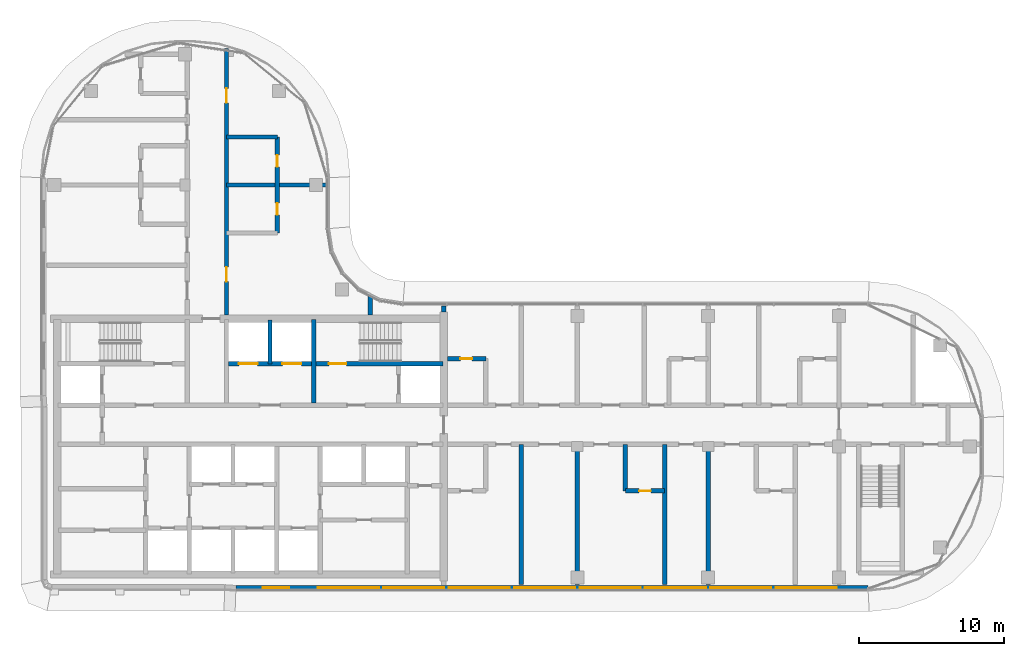
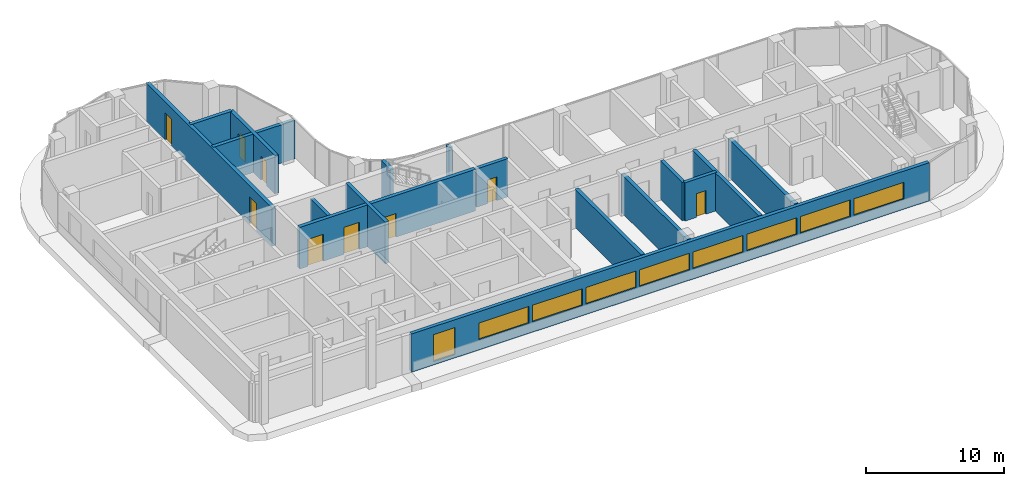
# One storey, part 14 of 22: 17 walls, 9 doors, 9 windows, 18 openings.
"""IFC4 building model written with IfcOpenShell, lengths in metres."""

from ifc_helpers import new_model, si_unit, direction, frame, frame_2d, origin, place, context, subcontext, project, spatial, rectangle, extrude, material, layer, layer_set, type_object, element, fill, save


model = new_model("IFC4")

# Units and contexts
model_context = context("Model", 3, precision=1e-05, world=origin(), true_north=direction((0.0, 1.0)))
body_context = subcontext(model_context, "Body", "Model", "MODEL_VIEW")
ifc_project = project(units=[si_unit("LENGTHUNIT", "METRE"), si_unit("AREAUNIT", "SQUARE_METRE"), si_unit("VOLUMEUNIT", "CUBIC_METRE"), si_unit("PLANEANGLEUNIT", "RADIAN"), si_unit("MASSUNIT", "GRAM", prefix="KILO")], contexts=[model_context])

# Site, building, storey
site_placement = place(None, origin())
site = spatial("IfcSite", under=ifc_project, at=site_placement, CompositionType="ELEMENT")
building_placement = place(site_placement, origin())
building = spatial("IfcBuilding", under=site, at=building_placement, Name="Ogive Portal Towers", CompositionType="ELEMENT")
storey_placement = place(building_placement, frame((0.0, 0.0, 206.89990234375)))
storey = spatial("IfcBuildingStorey", under=building, at=storey_placement, Name="L51", CompositionType="ELEMENT", Elevation=206.89990234375)

# Wall, openings, doors
ifc_material_1 = material(Name="Concrete C60/75", Category="concrete")
ifc_layer_1 = layer(ifc_material_1, 0.300048828125)
ifc_layer_set_1 = layer_set([ifc_layer_1], Name="CORE WALL 300 C60")
wall_type_1 = type_object("IfcWallType", Name="CORE WALL 300 C60", PredefinedType="SHEAR", material=ifc_layer_set_1)
wall_1_placement = place(storey_placement, frame((43.5, 36.199951171875, 0.0), z_axis=(0.0, 0.0, 1.0), x_axis=(1.0, 0.0, 0.0)))
wall_1 = element("IfcWall", 1, at=wall_1_placement, inside=storey, type_object=wall_type_1, Name="Core wall Y3b L51", PredefinedType="SHEAR", context=body_context, shape_type="SweptSolid", body=[
    extrude(rectangle(XDim=14.75, YDim=0.300048828125, at=frame_2d((7.375, 0.0))), origin(), (0.0, 0.0, 1.0), 3.7001953125),
])
opening_1_placement = place(wall_1_placement, frame((6.89990234375, 0.0, 0.0)))
opening_1 = element("IfcOpeningElement", 2, at=opening_1_placement, cuts=wall_1, Name="Opening D23-006", PredefinedType="OPENING", context=body_context, shape_type="SweptSolid", body=[
    extrude(rectangle(XDim=1.199951171875, YDim=2.10009765625, at=frame_2d((0.60009765625, 1.050048828125))), frame((0.0, 0.16015625, 0.0), z_axis=(0.0, -1.0, 0.0), x_axis=(1.0, 0.0, 0.0)), (0.0, 0.0, 1.0), 0.320068359375),
])
opening_2_placement = place(wall_1_placement, frame((0.699951171875, 0.0, 0.0)))
opening_2 = element("IfcOpeningElement", 3, at=opening_2_placement, cuts=wall_1, Name="Opening D23-017", PredefinedType="OPENING", context=body_context, shape_type="SweptSolid", body=[
    extrude(rectangle(XDim=1.300048828125, YDim=2.39990234375, at=frame_2d((0.64990234375, 1.199951171875))), frame((0.0, 0.16015625, 0.0), z_axis=(0.0, -1.0, 0.0), x_axis=(1.0, 0.0, 0.0)), (0.0, 0.0, 1.0), 0.320068359375),
])
opening_3_placement = place(wall_1_placement, frame((3.699951171875, 0.0, 0.0)))
opening_3 = element("IfcOpeningElement", 4, at=opening_3_placement, cuts=wall_1, Name="Opening D23-018", PredefinedType="OPENING", context=body_context, shape_type="SweptSolid", body=[
    extrude(rectangle(XDim=1.300048828125, YDim=2.39990234375, at=frame_2d((0.64990234375, 1.199951171875))), frame((0.0, 0.16015625, 0.0), z_axis=(0.0, -1.0, 0.0), x_axis=(1.0, 0.0, 0.0)), (0.0, 0.0, 1.0), 0.320068359375),
])
ifc_material_2 = material(Name="Stainless steel", Category="steel")
door_type_1 = type_object("IfcDoorType", Name="DT-LD-1300x2400", OperationType="SLIDING_TO_LEFT", PredefinedType="DOOR", material=ifc_material_2)
door_1_placement = place(opening_2_placement, origin())
door_1 = element("IfcDoor", 5, at=door_1_placement, inside=storey, type_object=door_type_1, Name="Door D23-017", OperationType="SLIDING_TO_LEFT", OverallHeight=2.39990234375, OverallWidth=1.300048828125, PredefinedType="DOOR", context=body_context, shape_type="SweptSolid", body=[
    extrude(rectangle(XDim=1.300048828125, YDim=2.39990234375, at=frame_2d((0.64990234375, 1.199951171875))), frame((0.0, 0.02490234375, 0.0), z_axis=(0.0, -1.0, 0.0), x_axis=(1.0, 0.0, 0.0)), (0.0, 0.0, 1.0), 0.050048828125),
])
fill(opening_2, door_1)
door_2_placement = place(opening_3_placement, origin())
door_2 = element("IfcDoor", 6, at=door_2_placement, inside=storey, type_object=door_type_1, Name="Door D23-018", OperationType="SLIDING_TO_LEFT", OverallHeight=2.39990234375, OverallWidth=1.300048828125, PredefinedType="DOOR", context=body_context, shape_type="SweptSolid", body=[
    extrude(rectangle(XDim=1.300048828125, YDim=2.39990234375, at=frame_2d((0.64990234375, 1.199951171875))), frame((0.0, 0.02490234375, 0.0), z_axis=(0.0, -1.0, 0.0), x_axis=(1.0, 0.0, 0.0)), (0.0, 0.0, 1.0), 0.050048828125),
])
fill(opening_3, door_2)
ifc_material_3 = material(Name="Steel fire door", Category="steel")
door_type_2 = type_object("IfcDoorType", Name="DT-SWING-1200x2100-FD90S", OperationType="SINGLE_SWING_LEFT", PredefinedType="DOOR", material=ifc_material_3)
door_3_placement = place(opening_1_placement, origin())
door_3 = element("IfcDoor", 7, at=door_3_placement, inside=storey, type_object=door_type_2, Name="Door D23-006", OperationType="SINGLE_SWING_LEFT", OverallHeight=2.10009765625, OverallWidth=1.199951171875, PredefinedType="DOOR", context=body_context, shape_type="SweptSolid", body=[
    extrude(rectangle(XDim=1.199951171875, YDim=2.10009765625, at=frame_2d((0.60009765625, 1.050048828125))), frame((0.0, 0.02490234375, 0.0), z_axis=(0.0, -1.0, 0.0), x_axis=(1.0, 0.0, 0.0)), (0.0, 0.0, 1.0), 0.050048828125),
])
fill(opening_1, door_3)

# Wall
wall_2_placement = place(storey_placement, frame((49.35009765625, 33.5, 0.0), z_axis=(0.0, 0.0, 1.0), x_axis=(0.0, 1.0, 0.0)))
element("IfcWall", 8, at=wall_2_placement, inside=storey, type_object=wall_type_1, Name="Core wall X9 L51", PredefinedType="SHEAR", context=body_context, shape_type="SweptSolid", body=[
    extrude(rectangle(XDim=5.75, YDim=0.300048828125, at=frame_2d((2.875, 0.0))), origin(), (0.0, 0.0, 1.0), 3.7001953125),
])

# Wall, openings, windows
ifc_material_4 = material(Name="Limestone cladding on lightweight block wall", Category="masonry")
ifc_layer_2 = layer(ifc_material_4, 0.300048828125)
ifc_layer_set_2 = layer_set([ifc_layer_2], Name="EXTERNAL WALL 300 STONE")
wall_type_2 = type_object("IfcWallType", Name="EXTERNAL WALL 300 STONE", PredefinedType="SOLIDWALL", material=ifc_layer_set_2)
wall_3_placement = place(storey_placement, frame((44.0107421875, 20.794921875, 0.0), z_axis=(0.0, 0.0, 1.0), x_axis=(1.0, 0.0, 0.0)))
wall_3 = element("IfcWall", 9, at=wall_3_placement, inside=storey, type_object=wall_type_2, Name="A:L51:f05:r0:wall", PredefinedType="SOLIDWALL", context=body_context, shape_type="SweptSolid", body=[
    extrude(rectangle(XDim=43.4755859375, YDim=0.300048828125, at=frame_2d((21.73779296875, 0.0))), origin(), (0.0, 0.0, 1.0), 3.400146484375),
])
opening_4_placement = place(wall_3_placement, frame((1.8447265625, 0.0, 0.300048828125)))
opening_4 = element("IfcOpeningElement", 10, at=opening_4_placement, cuts=wall_3, Name="Opening WN10", PredefinedType="OPENING", context=body_context, shape_type="SweptSolid", body=[
    extrude(rectangle(XDim=1.800048828125, YDim=2.39990234375, at=frame_2d((0.89990234375, 1.199951171875))), frame((0.0, 0.16015625, 0.0), z_axis=(0.0, -1.0, 0.0), x_axis=(1.0, 0.0, 0.0)), (0.0, 0.0, 1.0), 0.320068359375),
])
opening_5_placement = place(wall_3_placement, frame((5.639404296875, 0.0, 0.89990234375)))
opening_5 = element("IfcOpeningElement", 11, at=opening_5_placement, cuts=wall_3, Name="Opening WN11", PredefinedType="OPENING", context=body_context, shape_type="SweptSolid", body=[
    extrude(rectangle(XDim=4.199951171875, YDim=1.5, at=frame_2d((2.10009765625, 0.75))), frame((0.0, 0.16015625, 0.0), z_axis=(0.0, -1.0, 0.0), x_axis=(1.0, 0.0, 0.0)), (0.0, 0.0, 1.0), 0.320068359375),
])
opening_6_placement = place(wall_3_placement, frame((10.139404296875, 0.0, 0.89990234375)))
opening_6 = element("IfcOpeningElement", 12, at=opening_6_placement, cuts=wall_3, Name="Opening WN11", PredefinedType="OPENING", context=body_context, shape_type="SweptSolid", body=[
    extrude(rectangle(XDim=4.199951171875, YDim=1.5, at=frame_2d((2.10009765625, 0.75))), frame((0.0, 0.16015625, 0.0), z_axis=(0.0, -1.0, 0.0), x_axis=(1.0, 0.0, 0.0)), (0.0, 0.0, 1.0), 0.320068359375),
])
opening_7_placement = place(wall_3_placement, frame((14.639404296875, 0.0, 0.89990234375)))
opening_7 = element("IfcOpeningElement", 13, at=opening_7_placement, cuts=wall_3, Name="Opening WN11", PredefinedType="OPENING", context=body_context, shape_type="SweptSolid", body=[
    extrude(rectangle(XDim=4.199951171875, YDim=1.5, at=frame_2d((2.10009765625, 0.75))), frame((0.0, 0.16015625, 0.0), z_axis=(0.0, -1.0, 0.0), x_axis=(1.0, 0.0, 0.0)), (0.0, 0.0, 1.0), 0.320068359375),
])
opening_8_placement = place(wall_3_placement, frame((19.139404296875, 0.0, 0.89990234375)))
opening_8 = element("IfcOpeningElement", 14, at=opening_8_placement, cuts=wall_3, Name="Opening WN11", PredefinedType="OPENING", context=body_context, shape_type="SweptSolid", body=[
    extrude(rectangle(XDim=4.199951171875, YDim=1.5, at=frame_2d((2.10009765625, 0.75))), frame((0.0, 0.16015625, 0.0), z_axis=(0.0, -1.0, 0.0), x_axis=(1.0, 0.0, 0.0)), (0.0, 0.0, 1.0), 0.320068359375),
])
opening_9_placement = place(wall_3_placement, frame((23.639404296875, 0.0, 0.89990234375)))
opening_9 = element("IfcOpeningElement", 15, at=opening_9_placement, cuts=wall_3, Name="Opening WN11", PredefinedType="OPENING", context=body_context, shape_type="SweptSolid", body=[
    extrude(rectangle(XDim=4.199951171875, YDim=1.5, at=frame_2d((2.10009765625, 0.75))), frame((0.0, 0.16015625, 0.0), z_axis=(0.0, -1.0, 0.0), x_axis=(1.0, 0.0, 0.0)), (0.0, 0.0, 1.0), 0.320068359375),
])
opening_10_placement = place(wall_3_placement, frame((28.139404296875, 0.0, 0.89990234375)))
opening_10 = element("IfcOpeningElement", 16, at=opening_10_placement, cuts=wall_3, Name="Opening WN11", PredefinedType="OPENING", context=body_context, shape_type="SweptSolid", body=[
    extrude(rectangle(XDim=4.199951171875, YDim=1.5, at=frame_2d((2.10009765625, 0.75))), frame((0.0, 0.16015625, 0.0), z_axis=(0.0, -1.0, 0.0), x_axis=(1.0, 0.0, 0.0)), (0.0, 0.0, 1.0), 0.320068359375),
])
opening_11_placement = place(wall_3_placement, frame((32.639404296875, 0.0, 0.89990234375)))
opening_11 = element("IfcOpeningElement", 17, at=opening_11_placement, cuts=wall_3, Name="Opening WN11", PredefinedType="OPENING", context=body_context, shape_type="SweptSolid", body=[
    extrude(rectangle(XDim=4.199951171875, YDim=1.5, at=frame_2d((2.10009765625, 0.75))), frame((0.0, 0.16015625, 0.0), z_axis=(0.0, -1.0, 0.0), x_axis=(1.0, 0.0, 0.0)), (0.0, 0.0, 1.0), 0.320068359375),
])
opening_12_placement = place(wall_3_placement, frame((37.139404296875, 0.0, 0.89990234375)))
opening_12 = element("IfcOpeningElement", 18, at=opening_12_placement, cuts=wall_3, Name="Opening WN11", PredefinedType="OPENING", context=body_context, shape_type="SweptSolid", body=[
    extrude(rectangle(XDim=4.199951171875, YDim=1.5, at=frame_2d((2.10009765625, 0.75))), frame((0.0, 0.16015625, 0.0), z_axis=(0.0, -1.0, 0.0), x_axis=(1.0, 0.0, 0.0)), (0.0, 0.0, 1.0), 0.320068359375),
])
ifc_material_5 = material(Name="Glass, clear low-iron insulated glazing", Category="glass")
window_type_1 = type_object("IfcWindowType", Name="WINDOW RIBBON 4200x1500", PartitioningType="TRIPLE_PANEL_VERTICAL", PredefinedType="WINDOW", material=ifc_material_5)
window_1_placement = place(opening_5_placement, origin())
window_1 = element("IfcWindow", 19, at=window_1_placement, inside=storey, type_object=window_type_1, Name="A:L51:f05:r0:w1", OverallHeight=1.5, OverallWidth=4.199951171875, PartitioningType="SINGLE_PANEL", PredefinedType="WINDOW", context=body_context, shape_type="SweptSolid", body=[
    extrude(rectangle(XDim=4.199951171875, YDim=1.5, at=frame_2d((2.10009765625, 0.75))), frame((0.0, 0.030029296875, 0.0), z_axis=(0.0, -1.0, 0.0), x_axis=(1.0, 0.0, 0.0)), (0.0, 0.0, 1.0), 0.06005859375),
])
fill(opening_5, window_1)
window_2_placement = place(opening_6_placement, origin())
window_2 = element("IfcWindow", 20, at=window_2_placement, inside=storey, type_object=window_type_1, Name="A:L51:f05:r0:w2", OverallHeight=1.5, OverallWidth=4.199951171875, PartitioningType="SINGLE_PANEL", PredefinedType="WINDOW", context=body_context, shape_type="SweptSolid", body=[
    extrude(rectangle(XDim=4.199951171875, YDim=1.5, at=frame_2d((2.10009765625, 0.75))), frame((0.0, 0.030029296875, 0.0), z_axis=(0.0, -1.0, 0.0), x_axis=(1.0, 0.0, 0.0)), (0.0, 0.0, 1.0), 0.06005859375),
])
fill(opening_6, window_2)
window_3_placement = place(opening_7_placement, origin())
window_3 = element("IfcWindow", 21, at=window_3_placement, inside=storey, type_object=window_type_1, Name="A:L51:f05:r0:w3", OverallHeight=1.5, OverallWidth=4.199951171875, PartitioningType="SINGLE_PANEL", PredefinedType="WINDOW", context=body_context, shape_type="SweptSolid", body=[
    extrude(rectangle(XDim=4.199951171875, YDim=1.5, at=frame_2d((2.10009765625, 0.75))), frame((0.0, 0.030029296875, 0.0), z_axis=(0.0, -1.0, 0.0), x_axis=(1.0, 0.0, 0.0)), (0.0, 0.0, 1.0), 0.06005859375),
])
fill(opening_7, window_3)
window_4_placement = place(opening_8_placement, origin())
window_4 = element("IfcWindow", 22, at=window_4_placement, inside=storey, type_object=window_type_1, Name="A:L51:f05:r0:w4", OverallHeight=1.5, OverallWidth=4.199951171875, PartitioningType="SINGLE_PANEL", PredefinedType="WINDOW", context=body_context, shape_type="SweptSolid", body=[
    extrude(rectangle(XDim=4.199951171875, YDim=1.5, at=frame_2d((2.10009765625, 0.75))), frame((0.0, 0.030029296875, 0.0), z_axis=(0.0, -1.0, 0.0), x_axis=(1.0, 0.0, 0.0)), (0.0, 0.0, 1.0), 0.06005859375),
])
fill(opening_8, window_4)
window_5_placement = place(opening_9_placement, origin())
window_5 = element("IfcWindow", 23, at=window_5_placement, inside=storey, type_object=window_type_1, Name="A:L51:f05:r0:w5", OverallHeight=1.5, OverallWidth=4.199951171875, PartitioningType="SINGLE_PANEL", PredefinedType="WINDOW", context=body_context, shape_type="SweptSolid", body=[
    extrude(rectangle(XDim=4.199951171875, YDim=1.5, at=frame_2d((2.10009765625, 0.75))), frame((0.0, 0.030029296875, 0.0), z_axis=(0.0, -1.0, 0.0), x_axis=(1.0, 0.0, 0.0)), (0.0, 0.0, 1.0), 0.06005859375),
])
fill(opening_9, window_5)
window_6_placement = place(opening_10_placement, origin())
window_6 = element("IfcWindow", 24, at=window_6_placement, inside=storey, type_object=window_type_1, Name="A:L51:f05:r0:w6", OverallHeight=1.5, OverallWidth=4.199951171875, PartitioningType="SINGLE_PANEL", PredefinedType="WINDOW", context=body_context, shape_type="SweptSolid", body=[
    extrude(rectangle(XDim=4.199951171875, YDim=1.5, at=frame_2d((2.10009765625, 0.75))), frame((0.0, 0.030029296875, 0.0), z_axis=(0.0, -1.0, 0.0), x_axis=(1.0, 0.0, 0.0)), (0.0, 0.0, 1.0), 0.06005859375),
])
fill(opening_10, window_6)
window_7_placement = place(opening_11_placement, origin())
window_7 = element("IfcWindow", 25, at=window_7_placement, inside=storey, type_object=window_type_1, Name="A:L51:f05:r0:w7", OverallHeight=1.5, OverallWidth=4.199951171875, PartitioningType="SINGLE_PANEL", PredefinedType="WINDOW", context=body_context, shape_type="SweptSolid", body=[
    extrude(rectangle(XDim=4.199951171875, YDim=1.5, at=frame_2d((2.10009765625, 0.75))), frame((0.0, 0.030029296875, 0.0), z_axis=(0.0, -1.0, 0.0), x_axis=(1.0, 0.0, 0.0)), (0.0, 0.0, 1.0), 0.06005859375),
])
fill(opening_11, window_7)
window_8_placement = place(opening_12_placement, origin())
window_8 = element("IfcWindow", 26, at=window_8_placement, inside=storey, type_object=window_type_1, Name="A:L51:f05:r0:w8", OverallHeight=1.5, OverallWidth=4.199951171875, PartitioningType="SINGLE_PANEL", PredefinedType="WINDOW", context=body_context, shape_type="SweptSolid", body=[
    extrude(rectangle(XDim=4.199951171875, YDim=1.5, at=frame_2d((2.10009765625, 0.75))), frame((0.0, 0.030029296875, 0.0), z_axis=(0.0, -1.0, 0.0), x_axis=(1.0, 0.0, 0.0)), (0.0, 0.0, 1.0), 0.06005859375),
])
fill(opening_12, window_8)
window_type_2 = type_object("IfcWindowType", Name="WINDOW SUITE CORNER 1800x2400", PartitioningType="DOUBLE_PANEL_VERTICAL", PredefinedType="WINDOW", material=ifc_material_5)
window_9_placement = place(opening_4_placement, origin())
window_9 = element("IfcWindow", 27, at=window_9_placement, inside=storey, type_object=window_type_2, Name="A:L51:f05:r0:w0", OverallHeight=2.39990234375, OverallWidth=1.800048828125, PartitioningType="SINGLE_PANEL", PredefinedType="WINDOW", context=body_context, shape_type="SweptSolid", body=[
    extrude(rectangle(XDim=1.800048828125, YDim=2.39990234375, at=frame_2d((0.89990234375, 1.199951171875))), frame((0.0, 0.030029296875, 0.0), z_axis=(0.0, -1.0, 0.0), x_axis=(1.0, 0.0, 0.0)), (0.0, 0.0, 1.0), 0.06005859375),
])
fill(opening_4, window_9)

# Wall
ifc_material_6 = material(Name="Gypsum board partition on steel studs", Category="steel")
ifc_layer_3 = layer(ifc_material_6, 0.300048828125)
ifc_layer_set_3 = layer_set([ifc_layer_3], Name="WT-PART-300-EI 120")
wall_type_3 = type_object("IfcWallType", Name="WT-PART-300-EI 120", PredefinedType="PARTITIONING", material=ifc_layer_set_3)
wall_4_placement = place(storey_placement, frame((58.300048828125, 39.75, 0.0), z_axis=(0.0, 0.0, 1.0), x_axis=(0.0, 1.0, 0.0)))
element("IfcWall", 28, at=wall_4_placement, inside=storey, type_object=wall_type_3, Name="Wall L51:wc02", PredefinedType="PARTITIONING", context=body_context, shape_type="SweptSolid", body=[
    extrude(rectangle(XDim=0.43505859375, YDim=0.300048828125, at=frame_2d((0.217529296875, 0.0))), origin(), (0.0, 0.0, 1.0), 3.400146484375),
])

# Wall, opening, door
ifc_layer_4 = layer(ifc_material_6, 0.300048828125)
ifc_layer_set_4 = layer_set([ifc_layer_4], Name="WT-PART-300-EI 60")
wall_type_4 = type_object("IfcWallType", Name="WT-PART-300-EI 60", PredefinedType="PARTITIONING", material=ifc_layer_set_4)
wall_5_placement = place(storey_placement, frame((70.800048828125, 27.449951171875, 0.0), z_axis=(0.0, 0.0, 1.0), x_axis=(1.0, 0.0, 0.0)))
wall_5 = element("IfcWall", 29, at=wall_5_placement, inside=storey, type_object=wall_type_4, Name="Wall L51:w003", PredefinedType="PARTITIONING", context=body_context, shape_type="SweptSolid", body=[
    extrude(rectangle(XDim=2.699951171875, YDim=0.300048828125, at=frame_2d((1.35009765625, 0.0))), origin(), (0.0, 0.0, 1.0), 3.400146484375),
])
opening_13_placement = place(wall_5_placement, frame((0.949951171875, 0.0, 0.0)))
opening_13 = element("IfcOpeningElement", 30, at=opening_13_placement, cuts=wall_5, Name="Opening D23-036", PredefinedType="OPENING", context=body_context, shape_type="SweptSolid", body=[
    extrude(rectangle(XDim=0.800048828125, YDim=2.10009765625, at=frame_2d((0.39990234375, 1.050048828125))), frame((0.0, 0.16015625, 0.0), z_axis=(0.0, -1.0, 0.0), x_axis=(1.0, 0.0, 0.0)), (0.0, 0.0, 1.0), 0.320068359375),
])
door_type_3 = type_object("IfcDoorType", Name="DT-BATH-800x2100-FD60S", OperationType="SINGLE_SWING_LEFT", PredefinedType="DOOR", material=ifc_material_3)
door_4_placement = place(opening_13_placement, origin())
door_4 = element("IfcDoor", 31, at=door_4_placement, inside=storey, type_object=door_type_3, Name="Door D23-036", OperationType="SINGLE_SWING_LEFT", OverallHeight=2.10009765625, OverallWidth=0.800048828125, PredefinedType="DOOR", context=body_context, shape_type="SweptSolid", body=[
    extrude(rectangle(XDim=0.800048828125, YDim=2.10009765625, at=frame_2d((0.39990234375, 1.050048828125))), frame((0.0, 0.02490234375, 0.0), z_axis=(0.0, -1.0, 0.0), x_axis=(1.0, 0.0, 0.0)), (0.0, 0.0, 1.0), 0.050048828125),
])
fill(opening_13, door_4)

wall_6_placement = place(storey_placement, frame((58.550048828125, 36.550048828125, 0.0), z_axis=(0.0, 0.0, 1.0), x_axis=(1.0, 0.0, 0.0)))
wall_6 = element("IfcWall", 32, at=wall_6_placement, inside=storey, type_object=wall_type_4, Name="Wall L51:w009", PredefinedType="PARTITIONING", context=body_context, shape_type="SweptSolid", body=[
    extrude(rectangle(XDim=2.64990234375, YDim=0.300048828125, at=frame_2d((1.324951171875, 0.0))), origin(), (0.0, 0.0, 1.0), 3.400146484375),
])
opening_14_placement = place(wall_6_placement, frame((0.89990234375, 0.0, 0.0)))
opening_14 = element("IfcOpeningElement", 33, at=opening_14_placement, cuts=wall_6, Name="Opening D23-027", PredefinedType="OPENING", context=body_context, shape_type="SweptSolid", body=[
    extrude(rectangle(XDim=0.800048828125, YDim=2.10009765625, at=frame_2d((0.39990234375, 1.050048828125))), frame((0.0, 0.16015625, 0.0), z_axis=(0.0, -1.0, 0.0), x_axis=(1.0, 0.0, 0.0)), (0.0, 0.0, 1.0), 0.320068359375),
])
door_5_placement = place(opening_14_placement, origin())
door_5 = element("IfcDoor", 34, at=door_5_placement, inside=storey, type_object=door_type_3, Name="Door D23-027", OperationType="SINGLE_SWING_LEFT", OverallHeight=2.10009765625, OverallWidth=0.800048828125, PredefinedType="DOOR", context=body_context, shape_type="SweptSolid", body=[
    extrude(rectangle(XDim=0.800048828125, YDim=2.10009765625, at=frame_2d((0.39990234375, 1.050048828125))), frame((0.0, 0.02490234375, 0.0), z_axis=(0.0, -1.0, 0.0), x_axis=(1.0, 0.0, 0.0)), (0.0, 0.0, 1.0), 0.050048828125),
])
fill(opening_14, door_5)

# Walls
wall_7_placement = place(storey_placement, frame((43.35009765625, 48.5, 0.0), z_axis=(0.0, 0.0, 1.0), x_axis=(1.0, 0.0, 0.0)))
element("IfcWall", 35, at=wall_7_placement, inside=storey, type_object=wall_type_4, Name="Wall L51:w016", PredefinedType="PARTITIONING", context=body_context, shape_type="SweptSolid", body=[
    extrude(rectangle(XDim=6.8349609375, YDim=0.300048828125, at=frame_2d((3.41748046875, 0.0))), origin(), (0.0, 0.0, 1.0), 3.400146484375),
])
wall_8_placement = place(storey_placement, frame((43.35009765625, 51.800048828125, 0.0), z_axis=(0.0, 0.0, 1.0), x_axis=(1.0, 0.0, 0.0)))
element("IfcWall", 36, at=wall_8_placement, inside=storey, type_object=wall_type_4, Name="Wall L51:w018", PredefinedType="PARTITIONING", context=body_context, shape_type="SweptSolid", body=[
    extrude(rectangle(XDim=3.5, YDim=0.300048828125, at=frame_2d((1.75, 0.0))), origin(), (0.0, 0.0, 1.0), 3.400146484375),
])

# Wall, openings, doors
wall_9_placement = place(storey_placement, frame((43.35009765625, 39.550048828125, 0.0), z_axis=(0.0, 0.0, 1.0), x_axis=(0.0, 1.0, 0.0)))
wall_9 = element("IfcWall", 37, at=wall_9_placement, inside=storey, type_object=wall_type_4, Name="Wall L51:w026", PredefinedType="PARTITIONING", context=body_context, shape_type="SweptSolid", body=[
    extrude(rectangle(XDim=18.35205078125, YDim=0.300048828125, at=frame_2d((9.176025390625, 0.0))), origin(), (0.0, 0.0, 1.0), 3.400146484375),
])
opening_15_placement = place(wall_9_placement, frame((2.300048828125, 0.0, 0.0)))
opening_15 = element("IfcOpeningElement", 38, at=opening_15_placement, cuts=wall_9, Name="Opening D23-046", PredefinedType="OPENING", context=body_context, shape_type="SweptSolid", body=[
    extrude(rectangle(XDim=1.0, YDim=2.39990234375, at=frame_2d((0.5, 1.199951171875))), frame((0.0, 0.16015625, 0.0), z_axis=(0.0, -1.0, 0.0), x_axis=(1.0, 0.0, 0.0)), (0.0, 0.0, 1.0), 0.320068359375),
])
opening_16_placement = place(wall_9_placement, frame((14.60009765625, 0.0, 0.0)))
opening_16 = element("IfcOpeningElement", 39, at=opening_16_placement, cuts=wall_9, Name="Opening D23-051", PredefinedType="OPENING", context=body_context, shape_type="SweptSolid", body=[
    extrude(rectangle(XDim=1.0, YDim=2.39990234375, at=frame_2d((0.5, 1.199951171875))), frame((0.0, 0.16015625, 0.0), z_axis=(0.0, -1.0, 0.0), x_axis=(1.0, 0.0, 0.0)), (0.0, 0.0, 1.0), 0.320068359375),
])
door_type_4 = type_object("IfcDoorType", Name="DT-ENTRY-1000x2400-FD60S", OperationType="SINGLE_SWING_LEFT", PredefinedType="DOOR", material=ifc_material_3)
door_6_placement = place(opening_15_placement, origin())
door_6 = element("IfcDoor", 40, at=door_6_placement, inside=storey, type_object=door_type_4, Name="Door D23-046", OperationType="SINGLE_SWING_LEFT", OverallHeight=2.39990234375, OverallWidth=1.0, PredefinedType="DOOR", context=body_context, shape_type="SweptSolid", body=[
    extrude(rectangle(XDim=1.0, YDim=2.39990234375, at=frame_2d((0.5, 1.199951171875))), frame((0.0, 0.02490234375, 0.0), z_axis=(0.0, -1.0, 0.0), x_axis=(1.0, 0.0, 0.0)), (0.0, 0.0, 1.0), 0.050048828125),
])
fill(opening_15, door_6)
door_7_placement = place(opening_16_placement, origin())
door_7 = element("IfcDoor", 41, at=door_7_placement, inside=storey, type_object=door_type_4, Name="Door D23-051", OperationType="SINGLE_SWING_RIGHT", OverallHeight=2.39990234375, OverallWidth=1.0, PredefinedType="DOOR", context=body_context, shape_type="SweptSolid", body=[
    extrude(rectangle(XDim=1.0, YDim=2.39990234375, at=frame_2d((0.5, 1.199951171875))), frame((0.0, 0.02490234375, 0.0), z_axis=(0.0, -1.0, 0.0), x_axis=(1.0, 0.0, 0.0)), (0.0, 0.0, 1.0), 0.050048828125),
])
fill(opening_16, door_7)

wall_10_placement = place(storey_placement, frame((46.85009765625, 45.199951171875, 0.0), z_axis=(0.0, 0.0, 1.0), x_axis=(0.0, 1.0, 0.0)))
wall_10 = element("IfcWall", 42, at=wall_10_placement, inside=storey, type_object=wall_type_4, Name="Wall L51:w027", PredefinedType="PARTITIONING", context=body_context, shape_type="SweptSolid", body=[
    extrude(rectangle(XDim=6.60009765625, YDim=0.300048828125, at=frame_2d((3.300048828125, 0.0))), origin(), (0.0, 0.0, 1.0), 3.400146484375),
])
opening_17_placement = place(wall_10_placement, frame((1.25, 0.0, 0.0)))
opening_17 = element("IfcOpeningElement", 43, at=opening_17_placement, cuts=wall_10, Name="Opening D23-045", PredefinedType="OPENING", context=body_context, shape_type="SweptSolid", body=[
    extrude(rectangle(XDim=0.800048828125, YDim=2.10009765625, at=frame_2d((0.39990234375, 1.050048828125))), frame((0.0, 0.16015625, 0.0), z_axis=(0.0, -1.0, 0.0), x_axis=(1.0, 0.0, 0.0)), (0.0, 0.0, 1.0), 0.320068359375),
])
opening_18_placement = place(wall_10_placement, frame((4.550048828125, 0.0, 0.0)))
opening_18 = element("IfcOpeningElement", 44, at=opening_18_placement, cuts=wall_10, Name="Opening D23-050", PredefinedType="OPENING", context=body_context, shape_type="SweptSolid", body=[
    extrude(rectangle(XDim=0.800048828125, YDim=2.10009765625, at=frame_2d((0.39990234375, 1.050048828125))), frame((0.0, 0.16015625, 0.0), z_axis=(0.0, -1.0, 0.0), x_axis=(1.0, 0.0, 0.0)), (0.0, 0.0, 1.0), 0.320068359375),
])
door_8_placement = place(opening_17_placement, origin())
door_8 = element("IfcDoor", 45, at=door_8_placement, inside=storey, type_object=door_type_3, Name="Door D23-045", OperationType="SINGLE_SWING_LEFT", OverallHeight=2.10009765625, OverallWidth=0.800048828125, PredefinedType="DOOR", context=body_context, shape_type="SweptSolid", body=[
    extrude(rectangle(XDim=0.800048828125, YDim=2.10009765625, at=frame_2d((0.39990234375, 1.050048828125))), frame((0.0, 0.02490234375, 0.0), z_axis=(0.0, -1.0, 0.0), x_axis=(1.0, 0.0, 0.0)), (0.0, 0.0, 1.0), 0.050048828125),
])
fill(opening_17, door_8)
door_9_placement = place(opening_18_placement, origin())
door_9 = element("IfcDoor", 46, at=door_9_placement, inside=storey, type_object=door_type_3, Name="Door D23-050", OperationType="SINGLE_SWING_LEFT", OverallHeight=2.10009765625, OverallWidth=0.800048828125, PredefinedType="DOOR", context=body_context, shape_type="SweptSolid", body=[
    extrude(rectangle(XDim=0.800048828125, YDim=2.10009765625, at=frame_2d((0.39990234375, 1.050048828125))), frame((0.0, 0.02490234375, 0.0), z_axis=(0.0, -1.0, 0.0), x_axis=(1.0, 0.0, 0.0)), (0.0, 0.0, 1.0), 0.050048828125),
])
fill(opening_18, door_9)

# Walls
wall_11_placement = place(storey_placement, frame((53.25, 39.550048828125, 0.0), z_axis=(0.0, 0.0, 1.0), x_axis=(0.0, 1.0, 0.0)))
element("IfcWall", 47, at=wall_11_placement, inside=storey, type_object=wall_type_4, Name="Wall L51:w028", PredefinedType="PARTITIONING", context=body_context, shape_type="SweptSolid", body=[
    extrude(rectangle(XDim=1.27099609375, YDim=0.300048828125, at=frame_2d((0.635498046875, 0.0))), origin(), (0.0, 0.0, 1.0), 3.400146484375),
])
for number, where, z_axis, x_axis, name in (
    (48, (63.6298828125, 20.9951171875, 0.0), (0.0, 0.0, 1.0), (0.0, 1.0, 0.0), "Wall L51:w031"),
    (49, (67.5, 20.9951171875, 0.0), (0.0, 0.0, 1.0), (0.0, 1.0, 0.0), "Wall L51:w033"),
):
    element("IfcWall", number, at=place(storey_placement, frame(where, z_axis=z_axis, x_axis=x_axis)), inside=storey, type_object=wall_type_4, Name=name, PredefinedType="PARTITIONING", context=body_context, shape_type="SweptSolid", body=[
        extrude(rectangle(XDim=9.65478515625, YDim=0.300048828125, at=frame_2d((4.827392578125, 0.0))), origin(), (0.0, 0.0, 1.0), 3.400146484375),
    ])
wall_12_placement = place(storey_placement, frame((70.800048828125, 27.449951171875, 0.0), z_axis=(0.0, 0.0, 1.0), x_axis=(0.0, 1.0, 0.0)))
element("IfcWall", 50, at=wall_12_placement, inside=storey, type_object=wall_type_4, Name="Wall L51:w035", PredefinedType="PARTITIONING", context=body_context, shape_type="SweptSolid", body=[
    extrude(rectangle(XDim=3.199951171875, YDim=0.300048828125, at=frame_2d((1.60009765625, 0.0))), origin(), (0.0, 0.0, 1.0), 3.400146484375),
])
for number, where, z_axis, x_axis, name in (
    (51, (73.5, 20.9951171875, 0.0), (0.0, 0.0, 1.0), (0.0, 1.0, 0.0), "Wall L51:w037"),
    (52, (76.5, 20.9951171875, 0.0), (0.0, 0.0, 1.0), (0.0, 1.0, 0.0), "Wall L51:w039"),
):
    element("IfcWall", number, at=place(storey_placement, frame(where, z_axis=z_axis, x_axis=x_axis)), inside=storey, type_object=wall_type_4, Name=name, PredefinedType="PARTITIONING", context=body_context, shape_type="SweptSolid", body=[
        extrude(rectangle(XDim=9.65478515625, YDim=0.300048828125, at=frame_2d((4.827392578125, 0.0))), origin(), (0.0, 0.0, 1.0), 3.400146484375),
    ])
ifc_material_7 = material(Name="Concrete C40/50", Category="concrete")
ifc_layer_5 = layer(ifc_material_7, 0.300048828125)
ifc_layer_set_5 = layer_set([ifc_layer_5], Name="WT-SHAFT-300")
wall_type_5 = type_object("IfcWallType", Name="WT-SHAFT-300", PredefinedType="SOLIDWALL", material=ifc_layer_set_5)
wall_13_placement = place(storey_placement, frame((46.35009765625, 36.199951171875, 0.0), z_axis=(0.0, 0.0, 1.0), x_axis=(0.0, 1.0, 0.0)))
element("IfcWall", 53, at=wall_13_placement, inside=storey, type_object=wall_type_5, Name="Wall pw:011:L51", PredefinedType="SOLIDWALL", context=body_context, shape_type="SweptSolid", body=[
    extrude(rectangle(XDim=3.0, YDim=0.300048828125, at=frame_2d((1.5, 0.0))), origin(), (0.0, 0.0, 1.0), 3.400146484375),
])

save(model, "model.ifc")
